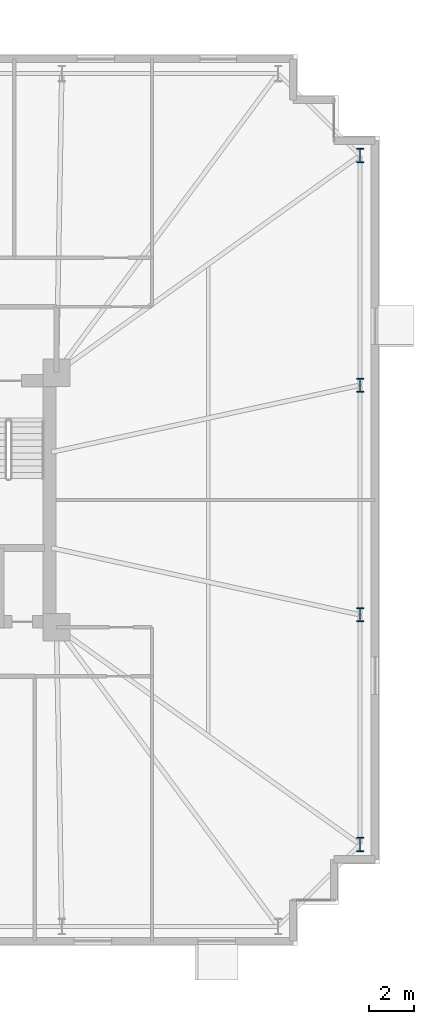
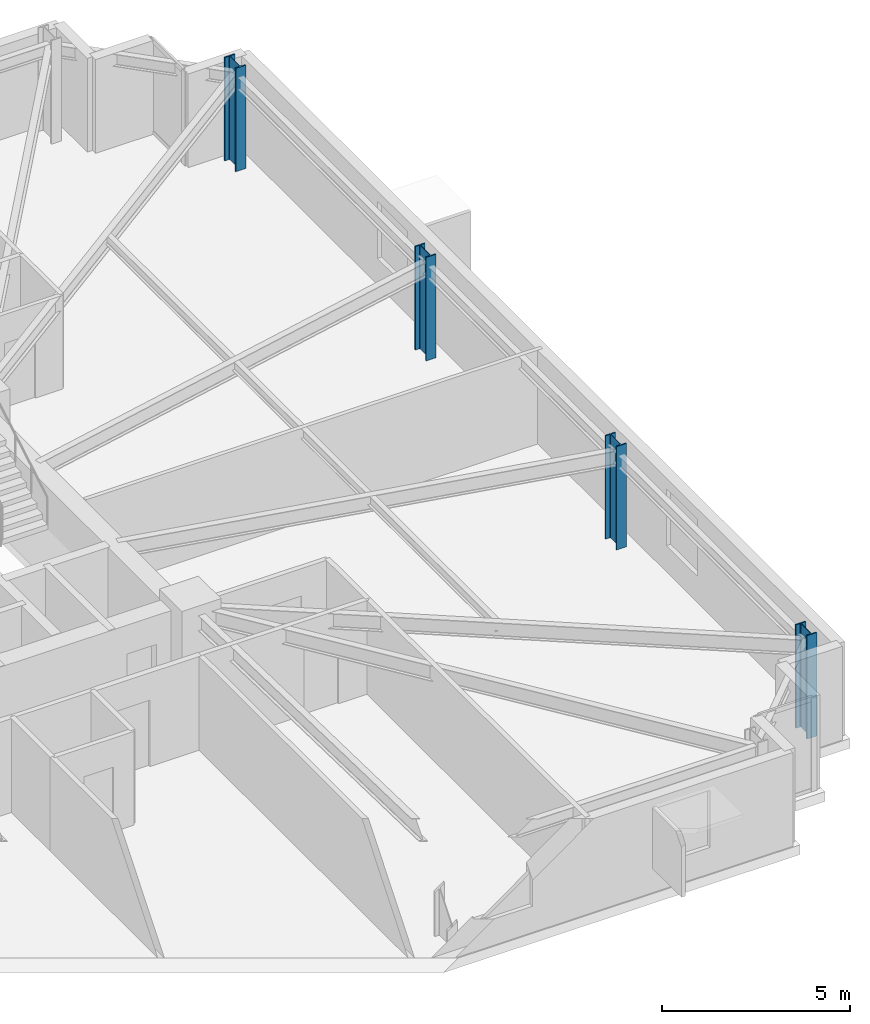
# One storey, part 3 of 20: 4 columns.
"""IFC4 building model written with IfcOpenShell, lengths in metres."""

from ifc_helpers import new_model, si_unit, direction, frame, origin, origin_2d, place, context, subcontext, project, spatial, i_section, extrude, material, material_profile, profile_set, type_object, element, save


model = new_model("IFC4")

# Units and contexts
model_context = context("Model", 3, precision=1e-05, world=origin(), true_north=direction((0.0, 1.0)))
body_context = subcontext(model_context, "Body", "Model", "MODEL_VIEW")
ifc_project = project(units=[si_unit("LENGTHUNIT", "METRE"), si_unit("AREAUNIT", "SQUARE_METRE"), si_unit("VOLUMEUNIT", "CUBIC_METRE"), si_unit("PLANEANGLEUNIT", "RADIAN"), si_unit("MASSUNIT", "GRAM", prefix="KILO")], contexts=[model_context])

# Site, building, storey
site_placement = place(None, origin())
site = spatial("IfcSite", under=ifc_project, at=site_placement, CompositionType="ELEMENT")
building_placement = place(site_placement, origin())
building = spatial("IfcBuilding", under=site, at=building_placement, Name="Qobustan Lattice House", CompositionType="ELEMENT")
storey_placement = place(building_placement, frame((0.0, 0.0, 63.85009765625)))
storey = spatial("IfcBuildingStorey", under=building, at=storey_placement, Name="L17", CompositionType="ELEMENT", Elevation=63.85009765625)

# Columns
ifc_material = material(Name="Steel S460", Category="steel")
ifc_material_profile = material_profile(ifc_material, i_section(OverallWidth=0.304931640625, OverallDepth=0.6201171875, WebThickness=0.02099609375, FlangeThickness=0.0400390625, FilletRadius=0.027099609375, at=origin_2d()), Name="HEM600")
ifc_profile_set = profile_set([ifc_material_profile], Name="Steel S460")
column_type = type_object("IfcColumnType", Name="COL-ST-HEM600", PredefinedType="COLUMN", material=ifc_profile_set)
for number, where, z_axis, x_axis, name in (
    (1, (32.14990234375, -15.14990234375, 0.0), (0.0, 0.0, 1.0), (1.0, 0.0, 0.0), "L17 B1 perimeter column E1"),
    (2, (32.14990234375, -5.050048828125, 0.0), (0.0, 0.0, 1.0), (1.0, 0.0, 0.0), "L17 B1 perimeter column E2"),
    (3, (32.14990234375, 5.050048828125, 0.0), (0.0, 0.0, 1.0), (1.0, 0.0, 0.0), "L17 B1 perimeter column E3"),
    (4, (32.14990234375, 15.14990234375, 0.0), (0.0, 0.0, 1.0), (1.0, 0.0, 0.0), "L17 B1 perimeter column E4"),
):
    element("IfcColumn", number, at=place(storey_placement, frame(where, z_axis=z_axis, x_axis=x_axis)), inside=storey, type_object=column_type, Name=name, PredefinedType="COLUMN", context=body_context, shape_type="SweptSolid", body=[
        extrude(i_section(OverallWidth=0.304931640625, OverallDepth=0.6201171875, WebThickness=0.02099609375, FlangeThickness=0.0400390625, FilletRadius=0.027099609375, at=origin_2d()), origin(), (0.0, 0.0, 1.0), 3.349853515625),
    ])

save(model, "model.ifc")
